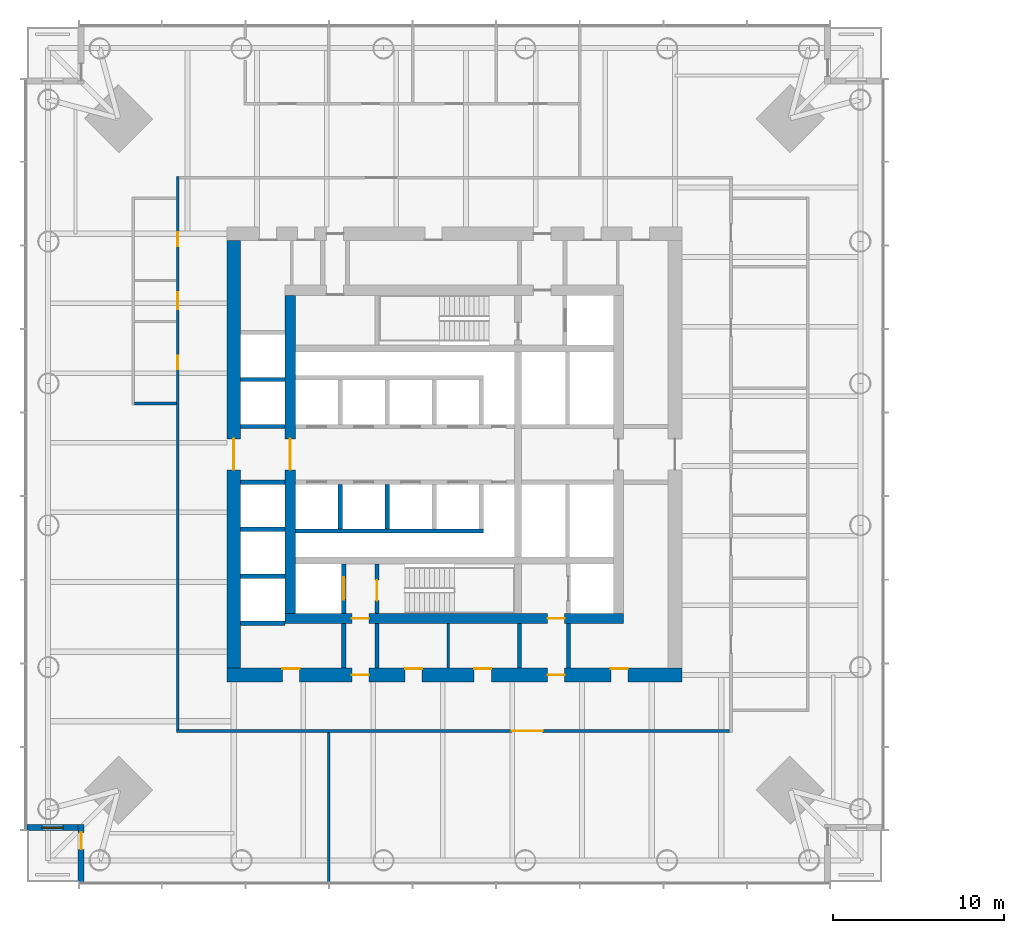
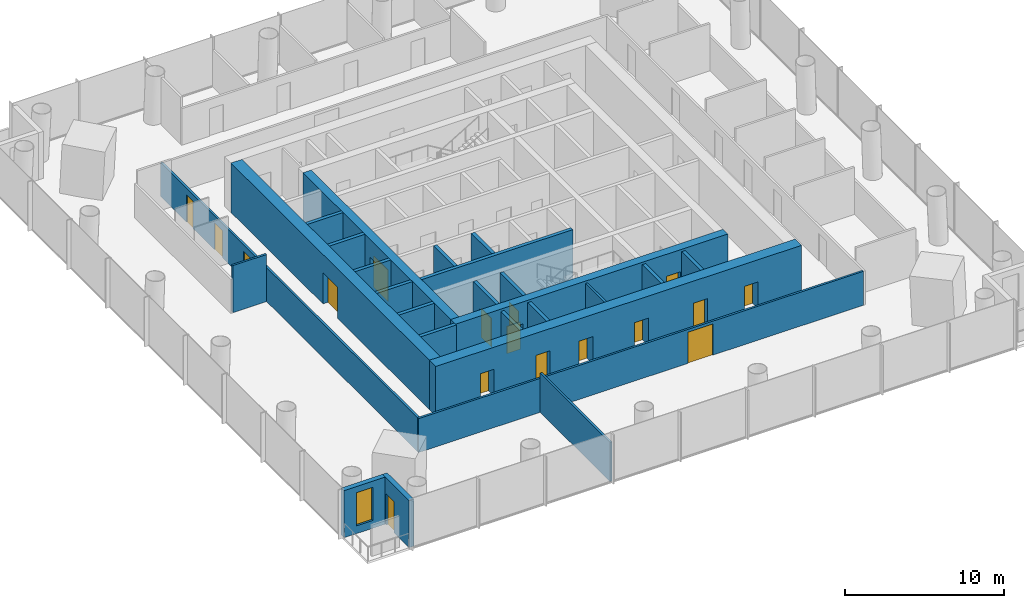
# One storey, part 9 of 20: 26 walls, 17 doors, 1 window, 18 openings.
"""IFC4 building model written with IfcOpenShell, lengths in metres."""

from ifc_helpers import new_model, si_unit, direction, frame, frame_2d, origin, place, context, subcontext, project, spatial, rectangle, extrude, material, layer, layer_set, type_object, element, fill, save


model = new_model("IFC4")

# Units and contexts
model_context = context("Model", 3, precision=1e-05, world=origin(), true_north=direction((0.0, 1.0)))
body_context = subcontext(model_context, "Body", "Model", "MODEL_VIEW")
ifc_project = project(units=[si_unit("LENGTHUNIT", "METRE"), si_unit("AREAUNIT", "SQUARE_METRE"), si_unit("VOLUMEUNIT", "CUBIC_METRE"), si_unit("PLANEANGLEUNIT", "RADIAN"), si_unit("MASSUNIT", "GRAM", prefix="KILO")], contexts=[model_context])

# Site, building, storey
site_placement = place(None, origin())
site = spatial("IfcSite", under=ifc_project, at=site_placement, CompositionType="ELEMENT")
building_placement = place(site_placement, origin())
building = spatial("IfcBuilding", under=site, at=building_placement, Name="Ostroluk Exchange", CompositionType="ELEMENT")
storey_placement = place(building_placement, frame((0.0, 0.0, 28.60009765625)))
storey = spatial("IfcBuildingStorey", under=building, at=storey_placement, Name="L06", CompositionType="ELEMENT", Elevation=28.60009765625)

# Walls
ifc_material_1 = material(Name="Concrete blockwork", Category="masonry")
ifc_layer_1 = layer(ifc_material_1, 0.14990234375)
ifc_layer_set_1 = layer_set([ifc_layer_1], Name="Blockwork plant room wall 150")
wall_type_1 = type_object("IfcWallType", Name="Blockwork plant room wall 150", PredefinedType="SOLIDWALL", material=ifc_layer_set_1)
wall_1_placement = place(storey_placement, frame((44.639892578125, 33.5, 0.0), z_axis=(0.0, 0.0, 1.0), x_axis=(0.0, 1.0, 0.0)))
element("IfcWall", 1, at=wall_1_placement, inside=storey, type_object=wall_type_1, Name="Core room wall", PredefinedType="SOLIDWALL", context=body_context, shape_type="SweptSolid", body=[
    extrude(rectangle(XDim=2.60009765625, YDim=0.14990234375, at=frame_2d((1.300048828125, 0.0))), origin(), (0.0, 0.0, 1.0), 3.619873046875),
])
ifc_material_2 = material(Name="Concrete blockwork", Category="masonry")
ifc_layer_2 = layer(ifc_material_2, 0.25)
ifc_layer_set_2 = layer_set([ifc_layer_2], Name="Blockwork stair enclosure wall 250")
wall_type_2 = type_object("IfcWallType", Name="Blockwork stair enclosure wall 250", PredefinedType="SOLIDWALL", material=ifc_layer_set_2)
for number, where, z_axis, x_axis, name in (
    (2, (38.52490234375, 33.5, 0.0), (0.0, 0.0, 1.0), (0.0, 1.0, 0.0), "Fire lobby enclosure wall"),
    (3, (40.47509765625, 33.5, 0.0), (0.0, 0.0, 1.0), (0.0, 1.0, 0.0), "Fire lobby enclosure wall"),
    (4, (48.804931640625, 33.5, 0.0), (0.0, 0.0, 1.0), (0.0, 1.0, 0.0), "Service lobby enclosure wall"),
    (5, (51.675048828125, 33.5, 0.0), (0.0, 0.0, 1.0), (0.0, 1.0, 0.0), "Service lobby enclosure wall"),
):
    element("IfcWall", number, at=place(storey_placement, frame(where, z_axis=z_axis, x_axis=x_axis)), inside=storey, type_object=wall_type_2, Name=name, PredefinedType="SOLIDWALL", context=body_context, shape_type="SweptSolid", body=[
        extrude(rectangle(XDim=2.60009765625, YDim=0.25, at=frame_2d((1.300048828125, 0.0))), origin(), (0.0, 0.0, 1.0), 3.619873046875),
    ])

# Wall, opening, door
ifc_material_3 = material(Name="Concrete C40/50", Category="concrete")
ifc_layer_3 = layer(ifc_material_3, 0.25)
ifc_layer_set_3 = layer_set([ifc_layer_3], Name="Core shaft wall 250")
wall_type_3 = type_object("IfcWallType", Name="Core shaft wall 250", PredefinedType="SHEAR", material=ifc_layer_set_3)
wall_2_placement = place(storey_placement, frame((38.52490234375, 36.699951171875, 0.0), z_axis=(0.0, 0.0, 1.0), x_axis=(0.0, 1.0, 0.0)))
wall_2 = element("IfcWall", 6, at=wall_2_placement, inside=storey, type_object=wall_type_3, Name="Firefighting lift shaft wall", PredefinedType="SHEAR", context=body_context, shape_type="SweptSolid", body=[
    extrude(rectangle(XDim=2.900146484375, YDim=0.25, at=frame_2d((1.4501953125, 0.0))), origin(), (0.0, 0.0, 1.0), 3.7998046875),
])
opening_1_placement = place(wall_2_placement, frame((0.800048828125, 0.0, 0.0)))
opening_1 = element("IfcOpeningElement", 7, at=opening_1_placement, cuts=wall_2, Name="Opening LD2", PredefinedType="OPENING", context=body_context, shape_type="SweptSolid", body=[
    extrude(rectangle(XDim=1.300048828125, YDim=2.199951171875, at=frame_2d((0.64990234375, 1.10009765625))), frame((0.0, 0.135009765625, 0.0), z_axis=(0.0, -1.0, 0.0), x_axis=(1.0, 0.0, 0.0)), (0.0, 0.0, 1.0), 0.27001953125),
])
ifc_material_4 = material(Name="Stainless steel", Category="steel")
door_type_1 = type_object("IfcDoorType", Name="Lift landing door E 60 1300 x 2200", OperationType="DOUBLE_DOOR_SLIDING", PredefinedType="DOOR", material=ifc_material_4)
door_1_placement = place(opening_1_placement, origin())
door_1 = element("IfcDoor", 8, at=door_1_placement, inside=storey, type_object=door_type_1, Name="Lift FL1 landing door", OperationType="DOUBLE_DOOR_SLIDING", OverallHeight=2.199951171875, OverallWidth=1.300048828125, PredefinedType="DOOR", context=body_context, shape_type="SweptSolid", body=[
    extrude(rectangle(XDim=1.300048828125, YDim=2.199951171875, at=frame_2d((0.64990234375, 1.10009765625))), frame((0.0, 0.02490234375, 0.0), z_axis=(0.0, -1.0, 0.0), x_axis=(1.0, 0.0, 0.0)), (0.0, 0.0, 1.0), 0.050048828125),
])
fill(opening_1, door_1)

wall_3_placement = place(storey_placement, frame((40.47509765625, 36.699951171875, 0.0), z_axis=(0.0, 0.0, 1.0), x_axis=(0.0, 1.0, 0.0)))
wall_3 = element("IfcWall", 9, at=wall_3_placement, inside=storey, type_object=wall_type_3, Name="Stair shaft wall", PredefinedType="SHEAR", context=body_context, shape_type="SweptSolid", body=[
    extrude(rectangle(XDim=2.900146484375, YDim=0.25, at=frame_2d((1.4501953125, 0.0))), origin(), (0.0, 0.0, 1.0), 3.7998046875),
])
opening_2_placement = place(wall_3_placement, frame((0.75, 0.0, 0.0)))
opening_2 = element("IfcOpeningElement", 10, at=opening_2_placement, cuts=wall_3, Name="Opening FD60S", PredefinedType="OPENING", context=body_context, shape_type="SweptSolid", body=[
    extrude(rectangle(XDim=1.199951171875, YDim=2.10009765625, at=frame_2d((0.60009765625, 1.050048828125))), frame((0.0, 0.135009765625, 0.0), z_axis=(0.0, -1.0, 0.0), x_axis=(1.0, 0.0, 0.0)), (0.0, 0.0, 1.0), 0.27001953125),
])
ifc_material_5 = material(Name="Steel", Category="steel")
door_type_2 = type_object("IfcDoorType", Name="Stair door EI 60 1200 x 2100", OperationType="SINGLE_SWING_LEFT", PredefinedType="DOOR", material=ifc_material_5)
door_2_placement = place(opening_2_placement, origin())
door_2 = element("IfcDoor", 11, at=door_2_placement, inside=storey, type_object=door_type_2, Name="Stair T1-S1 door", OperationType="SINGLE_SWING_LEFT", OverallHeight=2.10009765625, OverallWidth=1.199951171875, PredefinedType="DOOR", context=body_context, shape_type="SweptSolid", body=[
    extrude(rectangle(XDim=1.199951171875, YDim=2.10009765625, at=frame_2d((0.60009765625, 1.050048828125))), frame((0.0, 0.02490234375, 0.0), z_axis=(0.0, -1.0, 0.0), x_axis=(1.0, 0.0, 0.0)), (0.0, 0.0, 1.0), 0.050048828125),
])
fill(opening_2, door_2)

# Walls
for number, where, z_axis, x_axis, name in (
    (12, (38.324951171875, 44.25, 0.0), (0.0, 0.0, 1.0), (0.0, -1.0, 0.0), "Lift shaft wall"),
    (13, (41.074951171875, 44.25, 0.0), (0.0, 0.0, 1.0), (0.0, -1.0, 0.0), "Lift shaft wall"),
):
    element("IfcWall", number, at=place(storey_placement, frame(where, z_axis=z_axis, x_axis=x_axis)), inside=storey, type_object=wall_type_3, Name=name, PredefinedType="SHEAR", context=body_context, shape_type="SweptSolid", body=[
        extrude(rectangle(XDim=2.60009765625, YDim=0.25, at=frame_2d((1.300048828125, 0.0))), origin(), (0.0, 0.0, 1.0), 3.7998046875),
    ])
wall_4_placement = place(storey_placement, frame((35.699951171875, 41.52490234375, 0.0), z_axis=(0.0, 0.0, 1.0), x_axis=(1.0, 0.0, 0.0)))
element("IfcWall", 14, at=wall_4_placement, inside=storey, type_object=wall_type_3, Name="Lift shaft wall", PredefinedType="SHEAR", context=body_context, shape_type="SweptSolid", body=[
    extrude(rectangle(XDim=11.0, YDim=0.25, at=frame_2d((5.5, 0.0))), origin(), (0.0, 0.0, 1.0), 3.7998046875),
])
for number, where, z_axis, x_axis, name in (
    (15, (32.5, 36.125, 0.0), (0.0, 0.0, 1.0), (1.0, 0.0, 0.0), "Lift shaft wall"),
    (16, (32.5, 38.875, 0.0), (0.0, 0.0, 1.0), (1.0, 0.0, 0.0), "Lift shaft wall"),
    (17, (32.5, 41.625, 0.0), (0.0, 0.0, 1.0), (1.0, 0.0, 0.0), "Lift shaft wall"),
    (18, (32.5, 44.375, 0.0), (0.0, 0.0, 1.0), (1.0, 0.0, 0.0), "Lift shaft wall"),
    (19, (32.5, 47.625, 0.0), (0.0, 0.0, 1.0), (1.0, 0.0, 0.0), "Lift shaft wall"),
    (20, (32.5, 50.375, 0.0), (0.0, 0.0, 1.0), (1.0, 0.0, 0.0), "Lift shaft wall"),
):
    element("IfcWall", number, at=place(storey_placement, frame(where, z_axis=z_axis, x_axis=x_axis)), inside=storey, type_object=wall_type_3, Name=name, PredefinedType="SHEAR", context=body_context, shape_type="SweptSolid", body=[
        extrude(rectangle(XDim=2.60009765625, YDim=0.25, at=frame_2d((1.300048828125, 0.0))), origin(), (0.0, 0.0, 1.0), 3.7998046875),
    ])

# Wall, openings, doors
ifc_material_6 = material(Name="Concrete C50/60", Category="concrete")
ifc_layer_4 = layer(ifc_material_6, 0.60009765625)
ifc_layer_set_4 = layer_set([ifc_layer_4], Name="Core wall 600 C50/60")
wall_type_4 = type_object("IfcWallType", Name="Core wall 600 C50/60", PredefinedType="SHEAR", material=ifc_layer_set_4)
wall_5_placement = place(storey_placement, frame((35.10009765625, 36.39990234375, 0.0), z_axis=(0.0, 0.0, 1.0), x_axis=(1.0, 0.0, 0.0)))
wall_5 = element("IfcWall", 21, at=wall_5_placement, inside=storey, type_object=wall_type_4, Name="T1 core wall S", PredefinedType="SHEAR", context=body_context, shape_type="SweptSolid", body=[
    extrude(rectangle(XDim=19.7998046875, YDim=0.60009765625, at=frame_2d((9.89990234375, 0.0))), origin(), (0.0, 0.0, 1.0), 3.7998046875),
])
opening_3_placement = place(wall_5_placement, frame((3.89990234375, 0.0, 0.0)))
opening_3 = element("IfcOpeningElement", 22, at=opening_3_placement, cuts=wall_5, Name="Opening FD60", PredefinedType="OPENING", context=body_context, shape_type="SweptSolid", body=[
    extrude(rectangle(XDim=1.0, YDim=2.10009765625, at=frame_2d((0.5, 1.050048828125))), frame((0.0, 0.31005859375, 0.0), z_axis=(0.0, -1.0, 0.0), x_axis=(1.0, 0.0, 0.0)), (0.0, 0.0, 1.0), 0.6201171875),
])
opening_4_placement = place(wall_5_placement, frame((15.35009765625, 0.0, 0.0)))
opening_4 = element("IfcOpeningElement", 23, at=opening_4_placement, cuts=wall_5, Name="Opening FD60", PredefinedType="OPENING", context=body_context, shape_type="SweptSolid", body=[
    extrude(rectangle(XDim=1.0, YDim=2.10009765625, at=frame_2d((0.5, 1.050048828125))), frame((0.0, 0.31005859375, 0.0), z_axis=(0.0, -1.0, 0.0), x_axis=(1.0, 0.0, 0.0)), (0.0, 0.0, 1.0), 0.6201171875),
])
ifc_material_7 = material(Name="Steel", Category="steel")
door_type_3 = type_object("IfcDoorType", Name="Fire door EI 60 1000 x 2100", OperationType="SINGLE_SWING_LEFT", PredefinedType="DOOR", material=ifc_material_7)
door_3_placement = place(opening_3_placement, origin())
door_3 = element("IfcDoor", 24, at=door_3_placement, inside=storey, type_object=door_type_3, Name="Firefighting lobby door", OperationType="SINGLE_SWING_LEFT", OverallHeight=2.10009765625, OverallWidth=1.0, PredefinedType="DOOR", context=body_context, shape_type="SweptSolid", body=[
    extrude(rectangle(XDim=1.0, YDim=2.10009765625, at=frame_2d((0.5, 1.050048828125))), frame((0.0, 0.02490234375, 0.0), z_axis=(0.0, -1.0, 0.0), x_axis=(1.0, 0.0, 0.0)), (0.0, 0.0, 1.0), 0.050048828125),
])
fill(opening_3, door_3)
door_4_placement = place(opening_4_placement, origin())
door_4 = element("IfcDoor", 25, at=door_4_placement, inside=storey, type_object=door_type_3, Name="Service lobby door", OperationType="SINGLE_SWING_RIGHT", OverallHeight=2.10009765625, OverallWidth=1.0, PredefinedType="DOOR", context=body_context, shape_type="SweptSolid", body=[
    extrude(rectangle(XDim=1.0, YDim=2.10009765625, at=frame_2d((0.5, 1.050048828125))), frame((0.0, 0.02490234375, 0.0), z_axis=(0.0, -1.0, 0.0), x_axis=(1.0, 0.0, 0.0)), (0.0, 0.0, 1.0), 0.050048828125),
])
fill(opening_4, door_4)

# Wall, opening, door
wall_6_placement = place(storey_placement, frame((35.39990234375, 36.699951171875, 0.0), z_axis=(0.0, 0.0, 1.0), x_axis=(0.0, 1.0, 0.0)))
wall_6 = element("IfcWall", 26, at=wall_6_placement, inside=storey, type_object=wall_type_4, Name="T1 core wall W", PredefinedType="SHEAR", context=body_context, shape_type="SweptSolid", body=[
    extrude(rectangle(XDim=18.60009765625, YDim=0.60009765625, at=frame_2d((9.300048828125, 0.0))), origin(), (0.0, 0.0, 1.0), 3.7998046875),
])
opening_5_placement = place(wall_6_placement, frame((8.39990234375, 0.0, 0.0)))
opening_5 = element("IfcOpeningElement", 27, at=opening_5_placement, cuts=wall_6, Name="Opening FD30D", PredefinedType="OPENING", context=body_context, shape_type="SweptSolid", body=[
    extrude(rectangle(XDim=1.800048828125, YDim=2.39990234375, at=frame_2d((0.89990234375, 1.199951171875))), frame((0.0, 0.31005859375, 0.0), z_axis=(0.0, -1.0, 0.0), x_axis=(1.0, 0.0, 0.0)), (0.0, 0.0, 1.0), 0.6201171875),
])
ifc_material_8 = material(Name="Timber", Category="wood")
door_type_4 = type_object("IfcDoorType", Name="Lobby double door EI 30 1800 x 2400", OperationType="DOUBLE_DOOR_SINGLE_SWING", PredefinedType="DOOR", material=ifc_material_8)
door_5_placement = place(opening_5_placement, origin())
door_5 = element("IfcDoor", 28, at=door_5_placement, inside=storey, type_object=door_type_4, Name="Lift lobby doors", OperationType="DOUBLE_DOOR_SINGLE_SWING", OverallHeight=2.39990234375, OverallWidth=1.800048828125, PredefinedType="DOOR", context=body_context, shape_type="SweptSolid", body=[
    extrude(rectangle(XDim=1.800048828125, YDim=2.39990234375, at=frame_2d((0.89990234375, 1.199951171875))), frame((0.0, 0.02490234375, 0.0), z_axis=(0.0, -1.0, 0.0), x_axis=(1.0, 0.0, 0.0)), (0.0, 0.0, 1.0), 0.050048828125),
])
fill(opening_5, door_5)

# Wall, openings, doors
ifc_material_9 = material(Name="Concrete C50/60", Category="concrete")
ifc_layer_5 = layer(ifc_material_9, 0.800048828125)
ifc_layer_set_5 = layer_set([ifc_layer_5], Name="Core wall 800 C50/60")
wall_type_5 = type_object("IfcWallType", Name="Core wall 800 C50/60", PredefinedType="SHEAR", material=ifc_layer_set_5)
wall_7_placement = place(storey_placement, frame((31.699951171875, 33.10009765625, 0.0), z_axis=(0.0, 0.0, 1.0), x_axis=(1.0, 0.0, 0.0)))
wall_7 = element("IfcWall", 29, at=wall_7_placement, inside=storey, type_object=wall_type_5, Name="T1 core wall RS", PredefinedType="SHEAR", context=body_context, shape_type="SweptSolid", body=[
    extrude(rectangle(XDim=26.60009765625, YDim=0.800048828125, at=frame_2d((13.300048828125, 0.0))), origin(), (0.0, 0.0, 1.0), 3.7998046875),
])
opening_6_placement = place(wall_7_placement, frame((7.300048828125, 0.0, 0.0)))
opening_6 = element("IfcOpeningElement", 30, at=opening_6_placement, cuts=wall_7, Name="Opening FD60", PredefinedType="OPENING", context=body_context, shape_type="SweptSolid", body=[
    extrude(rectangle(XDim=1.0, YDim=2.10009765625, at=frame_2d((0.5, 1.050048828125))), frame((0.0, 0.409912109375, 0.0), z_axis=(0.0, -1.0, 0.0), x_axis=(1.0, 0.0, 0.0)), (0.0, 0.0, 1.0), 0.820068359375),
])
opening_7_placement = place(wall_7_placement, frame((18.75, 0.0, 0.0)))
opening_7 = element("IfcOpeningElement", 31, at=opening_7_placement, cuts=wall_7, Name="Opening FD60", PredefinedType="OPENING", context=body_context, shape_type="SweptSolid", body=[
    extrude(rectangle(XDim=1.0, YDim=2.10009765625, at=frame_2d((0.5, 1.050048828125))), frame((0.0, 0.409912109375, 0.0), z_axis=(0.0, -1.0, 0.0), x_axis=(1.0, 0.0, 0.0)), (0.0, 0.0, 1.0), 0.820068359375),
])
opening_8_placement = place(wall_7_placement, frame((3.25, 0.0, 0.0)))
opening_8 = element("IfcOpeningElement", 32, at=opening_8_placement, cuts=wall_7, Name="Opening FD60", PredefinedType="OPENING", context=body_context, shape_type="SweptSolid", body=[
    extrude(rectangle(XDim=1.0, YDim=2.10009765625, at=frame_2d((0.5, 1.050048828125))), frame((0.0, 0.409912109375, 0.0), z_axis=(0.0, -1.0, 0.0), x_axis=(1.0, 0.0, 0.0)), (0.0, 0.0, 1.0), 0.820068359375),
])
opening_9_placement = place(wall_7_placement, frame((10.419921875, 0.0, 0.0)))
opening_9 = element("IfcOpeningElement", 33, at=opening_9_placement, cuts=wall_7, Name="Opening FD60", PredefinedType="OPENING", context=body_context, shape_type="SweptSolid", body=[
    extrude(rectangle(XDim=1.0, YDim=2.10009765625, at=frame_2d((0.5, 1.050048828125))), frame((0.0, 0.409912109375, 0.0), z_axis=(0.0, -1.0, 0.0), x_axis=(1.0, 0.0, 0.0)), (0.0, 0.0, 1.0), 0.820068359375),
])
opening_10_placement = place(wall_7_placement, frame((14.4599609375, 0.0, 0.0)))
opening_10 = element("IfcOpeningElement", 34, at=opening_10_placement, cuts=wall_7, Name="Opening FD60", PredefinedType="OPENING", context=body_context, shape_type="SweptSolid", body=[
    extrude(rectangle(XDim=1.0, YDim=2.10009765625, at=frame_2d((0.5, 1.050048828125))), frame((0.0, 0.409912109375, 0.0), z_axis=(0.0, -1.0, 0.0), x_axis=(1.0, 0.0, 0.0)), (0.0, 0.0, 1.0), 0.820068359375),
])
opening_11_placement = place(wall_7_placement, frame((22.449951171875, 0.0, 0.0)))
opening_11 = element("IfcOpeningElement", 35, at=opening_11_placement, cuts=wall_7, Name="Opening FD60", PredefinedType="OPENING", context=body_context, shape_type="SweptSolid", body=[
    extrude(rectangle(XDim=1.0, YDim=2.10009765625, at=frame_2d((0.5, 1.050048828125))), frame((0.0, 0.409912109375, 0.0), z_axis=(0.0, -1.0, 0.0), x_axis=(1.0, 0.0, 0.0)), (0.0, 0.0, 1.0), 0.820068359375),
])
door_6_placement = place(opening_6_placement, origin())
door_6 = element("IfcDoor", 36, at=door_6_placement, inside=storey, type_object=door_type_3, Name="Firefighting lobby door", OperationType="SINGLE_SWING_LEFT", OverallHeight=2.10009765625, OverallWidth=1.0, PredefinedType="DOOR", context=body_context, shape_type="SweptSolid", body=[
    extrude(rectangle(XDim=1.0, YDim=2.10009765625, at=frame_2d((0.5, 1.050048828125))), frame((0.0, 0.02490234375, 0.0), z_axis=(0.0, -1.0, 0.0), x_axis=(1.0, 0.0, 0.0)), (0.0, 0.0, 1.0), 0.050048828125),
])
fill(opening_6, door_6)
door_7_placement = place(opening_7_placement, origin())
door_7 = element("IfcDoor", 37, at=door_7_placement, inside=storey, type_object=door_type_3, Name="Service lobby door", OperationType="SINGLE_SWING_RIGHT", OverallHeight=2.10009765625, OverallWidth=1.0, PredefinedType="DOOR", context=body_context, shape_type="SweptSolid", body=[
    extrude(rectangle(XDim=1.0, YDim=2.10009765625, at=frame_2d((0.5, 1.050048828125))), frame((0.0, 0.02490234375, 0.0), z_axis=(0.0, -1.0, 0.0), x_axis=(1.0, 0.0, 0.0)), (0.0, 0.0, 1.0), 0.050048828125),
])
fill(opening_7, door_7)
door_8_placement = place(opening_8_placement, origin())
door_8 = element("IfcDoor", 38, at=door_8_placement, inside=storey, type_object=door_type_3, Name="Archive door", OperationType="SINGLE_SWING_LEFT", OverallHeight=2.10009765625, OverallWidth=1.0, PredefinedType="DOOR", context=body_context, shape_type="SweptSolid", body=[
    extrude(rectangle(XDim=1.0, YDim=2.10009765625, at=frame_2d((0.5, 1.050048828125))), frame((0.0, 0.39013671875, 0.0), z_axis=(0.0, -1.0, 0.0), x_axis=(1.0, 0.0, 0.0)), (0.0, 0.0, 1.0), 0.050048828125),
])
fill(opening_8, door_8)
door_9_placement = place(opening_9_placement, origin())
door_9 = element("IfcDoor", 39, at=door_9_placement, inside=storey, type_object=door_type_3, Name="Tea point door", OperationType="SINGLE_SWING_LEFT", OverallHeight=2.10009765625, OverallWidth=1.0, PredefinedType="DOOR", context=body_context, shape_type="SweptSolid", body=[
    extrude(rectangle(XDim=1.0, YDim=2.10009765625, at=frame_2d((0.5, 1.050048828125))), frame((0.0, 0.39013671875, 0.0), z_axis=(0.0, -1.0, 0.0), x_axis=(1.0, 0.0, 0.0)), (0.0, 0.0, 1.0), 0.050048828125),
])
fill(opening_9, door_9)
door_10_placement = place(opening_10_placement, origin())
door_10 = element("IfcDoor", 40, at=door_10_placement, inside=storey, type_object=door_type_3, Name="Print and post room door", OperationType="SINGLE_SWING_RIGHT", OverallHeight=2.10009765625, OverallWidth=1.0, PredefinedType="DOOR", context=body_context, shape_type="SweptSolid", body=[
    extrude(rectangle(XDim=1.0, YDim=2.10009765625, at=frame_2d((0.5, 1.050048828125))), frame((0.0, 0.39013671875, 0.0), z_axis=(0.0, -1.0, 0.0), x_axis=(1.0, 0.0, 0.0)), (0.0, 0.0, 1.0), 0.050048828125),
])
fill(opening_10, door_10)
door_11_placement = place(opening_11_placement, origin())
door_11 = element("IfcDoor", 41, at=door_11_placement, inside=storey, type_object=door_type_3, Name="Tenant IT room door", OperationType="SINGLE_SWING_RIGHT", OverallHeight=2.10009765625, OverallWidth=1.0, PredefinedType="DOOR", context=body_context, shape_type="SweptSolid", body=[
    extrude(rectangle(XDim=1.0, YDim=2.10009765625, at=frame_2d((0.5, 1.050048828125))), frame((0.0, 0.39013671875, 0.0), z_axis=(0.0, -1.0, 0.0), x_axis=(1.0, 0.0, 0.0)), (0.0, 0.0, 1.0), 0.050048828125),
])
fill(opening_11, door_11)

# Wall, opening, door
wall_8_placement = place(storey_placement, frame((32.10009765625, 33.5, 0.0), z_axis=(0.0, 0.0, 1.0), x_axis=(0.0, 1.0, 0.0)))
wall_8 = element("IfcWall", 42, at=wall_8_placement, inside=storey, type_object=wall_type_5, Name="T1 core wall RW", PredefinedType="SHEAR", context=body_context, shape_type="SweptSolid", body=[
    extrude(rectangle(XDim=25.0, YDim=0.800048828125, at=frame_2d((12.5, 0.0))), origin(), (0.0, 0.0, 1.0), 3.7998046875),
])
opening_12_placement = place(wall_8_placement, frame((11.60009765625, 0.0, 0.0)))
opening_12 = element("IfcOpeningElement", 43, at=opening_12_placement, cuts=wall_8, Name="Opening FD30D", PredefinedType="OPENING", context=body_context, shape_type="SweptSolid", body=[
    extrude(rectangle(XDim=1.800048828125, YDim=2.39990234375, at=frame_2d((0.89990234375, 1.199951171875))), frame((0.0, 0.409912109375, 0.0), z_axis=(0.0, -1.0, 0.0), x_axis=(1.0, 0.0, 0.0)), (0.0, 0.0, 1.0), 0.820068359375),
])
door_12_placement = place(opening_12_placement, origin())
door_12 = element("IfcDoor", 44, at=door_12_placement, inside=storey, type_object=door_type_4, Name="Lift lobby doors", OperationType="DOUBLE_DOOR_SINGLE_SWING", OverallHeight=2.39990234375, OverallWidth=1.800048828125, PredefinedType="DOOR", context=body_context, shape_type="SweptSolid", body=[
    extrude(rectangle(XDim=1.800048828125, YDim=2.39990234375, at=frame_2d((0.89990234375, 1.199951171875))), frame((0.0, 0.02490234375, 0.0), z_axis=(0.0, -1.0, 0.0), x_axis=(1.0, 0.0, 0.0)), (0.0, 0.0, 1.0), 0.050048828125),
])
fill(opening_12, door_12)

ifc_material_10 = material(Name="Limestone", Category="masonry")
ifc_layer_6 = layer(ifc_material_10, 0.35009765625)
ifc_layer_set_6 = layer_set([ifc_layer_6], Name="Limestone facade wall 350")
wall_type_6 = type_object("IfcWallType", Name="Limestone facade wall 350", PredefinedType="SOLIDWALL", material=ifc_layer_set_6)
wall_9_placement = place(storey_placement, frame((23.175048828125, 21.0, 0.0), z_axis=(0.0, 0.0, 1.0), x_axis=(0.0, 1.0, 0.0)))
wall_9 = element("IfcWall", 45, at=wall_9_placement, inside=storey, type_object=wall_type_6, Name="Office tower SW corner wall L06 a", PredefinedType="SOLIDWALL", context=body_context, shape_type="SweptSolid", body=[
    extrude(rectangle(XDim=3.35009765625, YDim=0.35009765625, at=frame_2d((1.675048828125, 0.0))), origin(), (0.0, 0.0, 1.0), 3.619873046875),
])
opening_13_placement = place(wall_9_placement, frame((1.89990234375, 0.0, 0.0)))
opening_13 = element("IfcOpeningElement", 46, at=opening_13_placement, cuts=wall_9, Name="Opening D-B1", PredefinedType="OPENING", context=body_context, shape_type="SweptSolid", body=[
    extrude(rectangle(XDim=1.0, YDim=2.39990234375, at=frame_2d((0.5, 1.199951171875))), frame((0.0, 0.18505859375, 0.0), z_axis=(0.0, -1.0, 0.0), x_axis=(1.0, 0.0, 0.0)), (0.0, 0.0, 1.0), 0.3701171875),
])
ifc_material_11 = material(Name="Bronze framed glazed door", Category="aluminium")
door_type_5 = type_object("IfcDoorType", Name="Balcony door 1000 x 2400", OperationType="SINGLE_SWING_LEFT", PredefinedType="DOOR", material=ifc_material_11)
door_13_placement = place(opening_13_placement, origin())
door_13 = element("IfcDoor", 47, at=door_13_placement, inside=storey, type_object=door_type_5, Name="Office tower SW balcony door L06", OperationType="SINGLE_SWING_RIGHT", OverallHeight=2.39990234375, OverallWidth=1.0, PredefinedType="DOOR", context=body_context, shape_type="SweptSolid", body=[
    extrude(rectangle(XDim=1.0, YDim=2.39990234375, at=frame_2d((0.5, 1.199951171875))), frame((0.0, 0.02490234375, 0.0), z_axis=(0.0, -1.0, 0.0), x_axis=(1.0, 0.0, 0.0)), (0.0, 0.0, 1.0), 0.050048828125),
])
fill(opening_13, door_13)

# Wall, opening, window
wall_10_placement = place(storey_placement, frame((23.0, 24.175048828125, 0.0), z_axis=(0.0, 0.0, 1.0), x_axis=(-1.0, 0.0, 0.0)))
wall_10 = element("IfcWall", 48, at=wall_10_placement, inside=storey, type_object=wall_type_6, Name="Office tower SW corner wall L06 b", PredefinedType="SOLIDWALL", context=body_context, shape_type="SweptSolid", body=[
    extrude(rectangle(XDim=3.0, YDim=0.35009765625, at=frame_2d((1.5, 0.0))), origin(), (0.0, 0.0, 1.0), 3.619873046875),
])
opening_14_placement = place(wall_10_placement, frame((0.89990234375, 0.0, 0.60009765625)))
opening_14 = element("IfcOpeningElement", 49, at=opening_14_placement, cuts=wall_10, Name="Opening WN-L1", PredefinedType="OPENING", context=body_context, shape_type="SweptSolid", body=[
    extrude(rectangle(XDim=1.199951171875, YDim=2.550048828125, at=frame_2d((0.60009765625, 1.27490234375))), frame((0.0, 0.18505859375, 0.0), z_axis=(0.0, -1.0, 0.0), x_axis=(1.0, 0.0, 0.0)), (0.0, 0.0, 1.0), 0.3701171875),
])
ifc_material_12 = material(Name="Laminated clear glass", Category="glass")
window_type = type_object("IfcWindowType", Name="Lancet window 1200 x 2550", PartitioningType="SINGLE_PANEL", PredefinedType="WINDOW", material=ifc_material_12)
window_placement = place(opening_14_placement, origin())
window = element("IfcWindow", 50, at=window_placement, inside=storey, type_object=window_type, Name="Office tower SW lancet window L06", OverallHeight=2.550048828125, OverallWidth=1.199951171875, PartitioningType="SINGLE_PANEL", PredefinedType="WINDOW", context=body_context, shape_type="SweptSolid", body=[
    extrude(rectangle(XDim=1.199951171875, YDim=2.550048828125, at=frame_2d((0.60009765625, 1.27490234375))), frame((0.0, 0.030029296875, 0.0), z_axis=(0.0, -1.0, 0.0), x_axis=(1.0, 0.0, 0.0)), (0.0, 0.0, 1.0), 0.06005859375),
])
fill(opening_14, window)

# Wall
ifc_material_13 = material(Name="Gypsum plasterboard partition", Category="gypsum")
ifc_layer_7 = layer(ifc_material_13, 0.14990234375)
ifc_layer_set_7 = layer_set([ifc_layer_7], Name="Plasterboard partition 150")
wall_type_7 = type_object("IfcWallType", Name="Plasterboard partition 150", PredefinedType="PARTITIONING", material=ifc_layer_set_7)
wall_11_placement = place(storey_placement, frame((37.666748046875, 29.75, 0.0), z_axis=(0.0, 0.0, 1.0), x_axis=(0.0, -1.0, 0.0)))
element("IfcWall", 51, at=wall_11_placement, inside=storey, type_object=wall_type_7, Name="Tenancy partition", PredefinedType="PARTITIONING", context=body_context, shape_type="SweptSolid", body=[
    extrude(rectangle(XDim=8.7900390625, YDim=0.14990234375, at=frame_2d((4.39501953125, 0.0))), origin(), (0.0, 0.0, 1.0), 3.02001953125),
])

# Wall, openings, doors
wall_12_placement = place(storey_placement, frame((28.824951171875, 62.25, 0.0), z_axis=(0.0, 0.0, 1.0), x_axis=(0.0, -1.0, 0.0)))
wall_12 = element("IfcWall", 52, at=wall_12_placement, inside=storey, type_object=wall_type_7, Name="Corridor wall", PredefinedType="PARTITIONING", context=body_context, shape_type="SweptSolid", body=[
    extrude(rectangle(XDim=32.35009765625, YDim=0.14990234375, at=frame_2d((16.175048828125, 0.0))), origin(), (0.0, 0.0, 1.0), 2.61181640625),
])
opening_15_placement = place(wall_12_placement, frame((3.27490234375, 0.0, 0.0)))
opening_15 = element("IfcOpeningElement", 53, at=opening_15_placement, cuts=wall_12, Name="Opening D-06", PredefinedType="OPENING", context=body_context, shape_type="SweptSolid", body=[
    extrude(rectangle(XDim=0.800048828125, YDim=2.10009765625, at=frame_2d((0.39990234375, 1.050048828125))), frame((0.0, 0.0849609375, 0.0), z_axis=(0.0, -1.0, 0.0), x_axis=(1.0, 0.0, 0.0)), (0.0, 0.0, 1.0), 0.169921875),
])
opening_16_placement = place(wall_12_placement, frame((6.77490234375, 0.0, 0.0)))
opening_16 = element("IfcOpeningElement", 54, at=opening_16_placement, cuts=wall_12, Name="Opening D-03", PredefinedType="OPENING", context=body_context, shape_type="SweptSolid", body=[
    extrude(rectangle(XDim=1.0, YDim=2.10009765625, at=frame_2d((0.5, 1.050048828125))), frame((0.0, 0.0849609375, 0.0), z_axis=(0.0, -1.0, 0.0), x_axis=(1.0, 0.0, 0.0)), (0.0, 0.0, 1.0), 0.169921875),
])
opening_17_placement = place(wall_12_placement, frame((10.47509765625, 0.0, 0.0)))
opening_17 = element("IfcOpeningElement", 55, at=opening_17_placement, cuts=wall_12, Name="Opening D-06", PredefinedType="OPENING", context=body_context, shape_type="SweptSolid", body=[
    extrude(rectangle(XDim=0.800048828125, YDim=2.10009765625, at=frame_2d((0.39990234375, 1.050048828125))), frame((0.0, 0.0849609375, 0.0), z_axis=(0.0, -1.0, 0.0), x_axis=(1.0, 0.0, 0.0)), (0.0, 0.0, 1.0), 0.169921875),
])
ifc_material_14 = material(Name="Timber", Category="wood")
door_type_6 = type_object("IfcDoorType", Name="Internal door 1000 x 2100", OperationType="SINGLE_SWING_LEFT", PredefinedType="DOOR", material=ifc_material_14)
door_14_placement = place(opening_16_placement, origin())
door_14 = element("IfcDoor", 56, at=door_14_placement, inside=storey, type_object=door_type_6, Name="Accessible WC door", OperationType="SINGLE_SWING_LEFT", OverallHeight=2.10009765625, OverallWidth=1.0, PredefinedType="DOOR", context=body_context, shape_type="SweptSolid", body=[
    extrude(rectangle(XDim=1.0, YDim=2.10009765625, at=frame_2d((0.5, 1.050048828125))), frame((0.0, 0.02490234375, 0.0), z_axis=(0.0, -1.0, 0.0), x_axis=(1.0, 0.0, 0.0)), (0.0, 0.0, 1.0), 0.050048828125),
])
fill(opening_16, door_14)
ifc_material_15 = material(Name="Timber", Category="wood")
door_type_7 = type_object("IfcDoorType", Name="Toilet door 800 x 2100", OperationType="SINGLE_SWING_LEFT", PredefinedType="DOOR", material=ifc_material_15)
door_15_placement = place(opening_15_placement, origin())
door_15 = element("IfcDoor", 57, at=door_15_placement, inside=storey, type_object=door_type_7, Name="WC female door", OperationType="SINGLE_SWING_LEFT", OverallHeight=2.10009765625, OverallWidth=0.800048828125, PredefinedType="DOOR", context=body_context, shape_type="SweptSolid", body=[
    extrude(rectangle(XDim=0.800048828125, YDim=2.10009765625, at=frame_2d((0.39990234375, 1.050048828125))), frame((0.0, 0.02490234375, 0.0), z_axis=(0.0, -1.0, 0.0), x_axis=(1.0, 0.0, 0.0)), (0.0, 0.0, 1.0), 0.050048828125),
])
fill(opening_15, door_15)
door_16_placement = place(opening_17_placement, origin())
door_16 = element("IfcDoor", 58, at=door_16_placement, inside=storey, type_object=door_type_7, Name="WC male door", OperationType="SINGLE_SWING_LEFT", OverallHeight=2.10009765625, OverallWidth=0.800048828125, PredefinedType="DOOR", context=body_context, shape_type="SweptSolid", body=[
    extrude(rectangle(XDim=0.800048828125, YDim=2.10009765625, at=frame_2d((0.39990234375, 1.050048828125))), frame((0.0, 0.02490234375, 0.0), z_axis=(0.0, -1.0, 0.0), x_axis=(1.0, 0.0, 0.0)), (0.0, 0.0, 1.0), 0.050048828125),
])
fill(opening_17, door_16)

# Wall, opening, door
wall_13_placement = place(storey_placement, frame((28.75, 29.824951171875, 0.0), z_axis=(0.0, 0.0, 1.0), x_axis=(1.0, 0.0, 0.0)))
wall_13 = element("IfcWall", 59, at=wall_13_placement, inside=storey, type_object=wall_type_7, Name="Corridor wall", PredefinedType="PARTITIONING", context=body_context, shape_type="SweptSolid", body=[
    extrude(rectangle(XDim=32.35009765625, YDim=0.14990234375, at=frame_2d((16.175048828125, 0.0))), origin(), (0.0, 0.0, 1.0), 2.61181640625),
])
opening_18_placement = place(wall_13_placement, frame((19.6083984375, 0.0, 0.0)))
opening_18 = element("IfcOpeningElement", 60, at=opening_18_placement, cuts=wall_13, Name="Opening D-04", PredefinedType="OPENING", context=body_context, shape_type="SweptSolid", body=[
    extrude(rectangle(XDim=1.800048828125, YDim=2.39990234375, at=frame_2d((0.89990234375, 1.199951171875))), frame((0.0, 0.0849609375, 0.0), z_axis=(0.0, -1.0, 0.0), x_axis=(1.0, 0.0, 0.0)), (0.0, 0.0, 1.0), 0.169921875),
])
ifc_material_16 = material(Name="Timber", Category="wood")
door_type_8 = type_object("IfcDoorType", Name="Double door 1800 x 2400", OperationType="DOUBLE_DOOR_SINGLE_SWING", PredefinedType="DOOR", material=ifc_material_16)
door_17_placement = place(opening_18_placement, origin())
door_17 = element("IfcDoor", 61, at=door_17_placement, inside=storey, type_object=door_type_8, Name="Open plan office door", OperationType="DOUBLE_DOOR_SINGLE_SWING", OverallHeight=2.39990234375, OverallWidth=1.800048828125, PredefinedType="DOOR", context=body_context, shape_type="SweptSolid", body=[
    extrude(rectangle(XDim=1.800048828125, YDim=2.39990234375, at=frame_2d((0.89990234375, 1.199951171875))), frame((0.0, 0.02490234375, 0.0), z_axis=(0.0, -1.0, 0.0), x_axis=(1.0, 0.0, 0.0)), (0.0, 0.0, 1.0), 0.050048828125),
])
fill(opening_18, door_17)

# Wall
ifc_material_17 = material(Name="Gypsum plasterboard partition, moisture resistant", Category="gypsum")
ifc_layer_8 = layer(ifc_material_17, 0.14990234375)
ifc_layer_set_8 = layer_set([ifc_layer_8], Name="Plasterboard toilet partition 150")
wall_type_8 = type_object("IfcWallType", Name="Plasterboard toilet partition 150", PredefinedType="PARTITIONING", material=ifc_layer_set_8)
wall_14_placement = place(storey_placement, frame((28.75, 48.97509765625, 0.0), z_axis=(0.0, 0.0, 1.0), x_axis=(-1.0, 0.0, 0.0)))
element("IfcWall", 62, at=wall_14_placement, inside=storey, type_object=wall_type_8, Name="Toilet partition", PredefinedType="PARTITIONING", context=body_context, shape_type="SweptSolid", body=[
    extrude(rectangle(XDim=2.449951171875, YDim=0.14990234375, at=frame_2d((1.22509765625, 0.0))), origin(), (0.0, 0.0, 1.0), 3.619873046875),
])

save(model, "model.ifc")
